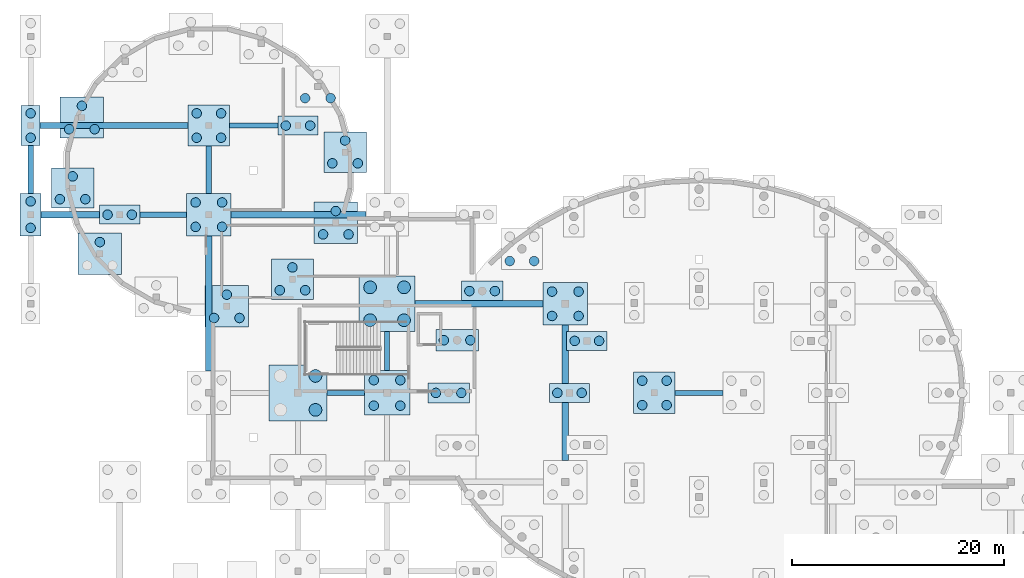
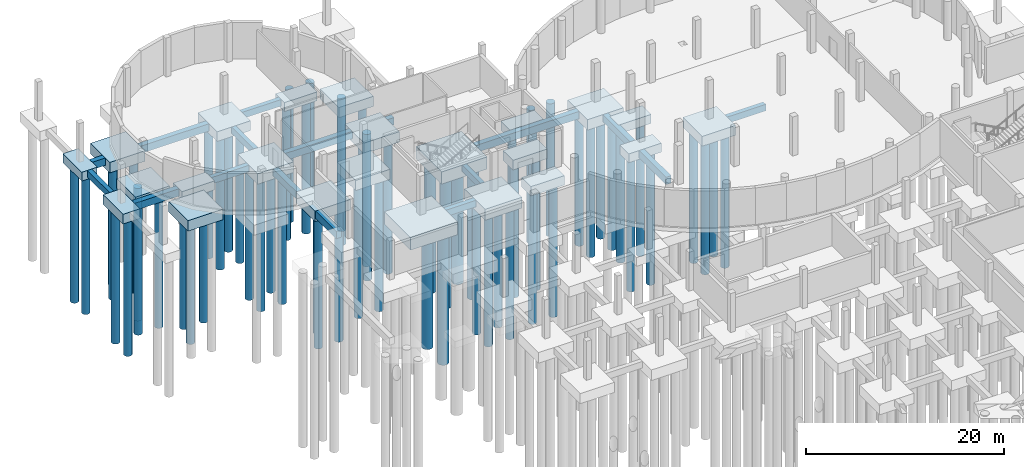
# One storey, part 7 of 24: 67 piles, 36 footings.
"""IFC4 building model written with IfcOpenShell, lengths in metres."""

from ifc_helpers import new_model, si_unit, derived_unit, direction, frame, origin, origin_2d, place, context, subcontext, project, spatial, rectangle, circle, extrude, material, layer, layer_set, material_profile, profile_set, type_object, element, save


model = new_model("IFC4")

# Units and contexts
model_context = context("Model", 3, precision=1e-05, world=origin(), true_north=direction((0.0, 1.0)))
body_context = subcontext(model_context, "Body", "Model", "MODEL_VIEW")
ifc_project = project(units=[si_unit("LENGTHUNIT", "METRE"), si_unit("AREAUNIT", "SQUARE_METRE"), si_unit("VOLUMEUNIT", "CUBIC_METRE"), si_unit("PLANEANGLEUNIT", "RADIAN"), si_unit("MASSUNIT", "GRAM", prefix="KILO"), derived_unit("THERMALTRANSMITTANCEUNIT", [(si_unit("POWERUNIT", "WATT"), 1), (si_unit("LENGTHUNIT", "METRE"), -2), (si_unit("THERMODYNAMICTEMPERATUREUNIT", "KELVIN"), -1)])], contexts=[model_context])

# Site, building, storey
site_placement = place(None, origin())
site = spatial("IfcSite", under=ifc_project, at=site_placement, CompositionType="ELEMENT")
building_placement = place(site_placement, origin())
building = spatial("IfcBuilding", under=site, at=building_placement, Name="Elbkamm Science Centre", CompositionType="ELEMENT")
storey_placement = place(building_placement, frame((0.0, 0.0, -4.800048828125)))
storey = spatial("IfcBuildingStorey", under=building, at=storey_placement, Name="B01", CompositionType="ELEMENT", Elevation=-4.800048828125)

# Footings
ifc_material = material(Name="Concrete C35/45", Category="concrete")
footing_type_1 = type_object("IfcFootingType", Name="FTG-TIE-500x800", PredefinedType="FOOTING_BEAM", material=ifc_material)
footing_1_placement = place(storey_placement, frame((29.699951171875, 67.199951171875, -1.2998046875), z_axis=(0.0, 0.0, 1.0), x_axis=(1.0, 0.0, 0.0)))
element("IfcFooting", 1, at=footing_1_placement, inside=storey, type_object=footing_type_1, Name="Substructure Ground Tie Beam X-092", PredefinedType="FOOTING_BEAM", context=body_context, shape_type="SweptSolid", body=[
    extrude(rectangle(XDim=3.5, YDim=0.5, at=origin_2d()), origin(), (0.0, 0.0, 1.0), 0.800048828125),
])
footing_2_placement = place(storey_placement, frame((63.0, 67.199951171875, -1.2998046875), z_axis=(0.0, 0.0, 1.0), x_axis=(1.0, 0.0, 0.0)))
element("IfcFooting", 2, at=footing_2_placement, inside=storey, type_object=footing_type_1, Name="Substructure Ground Tie Beam X-093", PredefinedType="FOOTING_BEAM", context=body_context, shape_type="SweptSolid", body=[
    extrude(rectangle(XDim=4.5, YDim=0.5, at=origin_2d()), origin(), (0.0, 0.0, 1.0), 0.800048828125),
])
footing_3_placement = place(storey_placement, frame((12.5, 84.0, -1.2998046875), z_axis=(0.0, 0.0, 1.0), x_axis=(1.0, 0.0, 0.0)))
element("IfcFooting", 3, at=footing_3_placement, inside=storey, type_object=footing_type_1, Name="Substructure Ground Tie Beam X-103", PredefinedType="FOOTING_BEAM", context=body_context, shape_type="SweptSolid", body=[
    extrude(rectangle(XDim=4.39990234375, YDim=0.5, at=origin_2d()), origin(), (0.0, 0.0, 1.0), 0.800048828125),
])
footing_4_placement = place(storey_placement, frame((21.02490234375, 92.39990234375, -1.2998046875), z_axis=(0.0, 0.0, 1.0), x_axis=(1.0, 0.0, 0.0)))
element("IfcFooting", 4, at=footing_4_placement, inside=storey, type_object=footing_type_1, Name="Substructure Ground Tie Beam X-111", PredefinedType="FOOTING_BEAM", context=body_context, shape_type="SweptSolid", body=[
    extrude(rectangle(XDim=4.550048828125, YDim=0.5, at=origin_2d()), origin(), (0.0, 0.0, 1.0), 0.800048828125),
])
footing_5_placement = place(storey_placement, frame((0.0, 88.25, -0.7998046875), z_axis=(0.0, 0.0, 1.0), x_axis=(1.0, 0.0, 0.0)))
element("IfcFooting", 5, at=footing_5_placement, inside=storey, type_object=footing_type_1, Name="Substructure Ground Tie Beam Y-125", PredefinedType="FOOTING_BEAM", context=body_context, shape_type="SweptSolid", body=[
    extrude(rectangle(XDim=0.5, YDim=4.5, at=origin_2d()), origin(), (0.0, 0.0, 1.0), 0.800048828125),
])
footing_6_placement = place(storey_placement, frame((16.800048828125, 88.22509765625, -1.2998046875), z_axis=(0.0, 0.0, 1.0), x_axis=(1.0, 0.0, 0.0)))
element("IfcFooting", 6, at=footing_6_placement, inside=storey, type_object=footing_type_1, Name="Substructure Ground Tie Beam Y-133", PredefinedType="FOOTING_BEAM", context=body_context, shape_type="SweptSolid", body=[
    extrude(rectangle(XDim=0.5, YDim=4.449951171875, at=origin_2d()), origin(), (0.0, 0.0, 1.0), 0.800048828125),
])
footing_7_placement = place(storey_placement, frame((33.60009765625, 71.14990234375, -1.2998046875), z_axis=(0.0, 0.0, 1.0), x_axis=(1.0, 0.0, 0.0)))
element("IfcFooting", 7, at=footing_7_placement, inside=storey, type_object=footing_type_1, Name="Substructure Ground Tie Beam Y-144", PredefinedType="FOOTING_BEAM", context=body_context, shape_type="SweptSolid", body=[
    extrude(rectangle(XDim=0.5, YDim=3.699951171875, at=origin_2d()), origin(), (0.0, 0.0, 1.0), 0.800048828125),
])
footing_type_2 = type_object("IfcFootingType", Name="FTG-TIE-600x900", PredefinedType="FOOTING_BEAM", material=ifc_material)
footing_8_placement = place(storey_placement, frame((42.27490234375, 75.60009765625, -1.39990234375), z_axis=(0.0, 0.0, 1.0), x_axis=(1.0, 0.0, 0.0)))
element("IfcFooting", 8, at=footing_8_placement, inside=storey, type_object=footing_type_2, Name="Substructure Ground Tie Beam X-097", PredefinedType="FOOTING_BEAM", context=body_context, shape_type="SweptSolid", body=[
    extrude(rectangle(XDim=12.050048828125, YDim=0.60009765625, at=origin_2d()), origin(), (0.0, 0.0, 1.0), 0.89990234375),
])
footing_9_placement = place(storey_placement, frame((3.75, 84.0, -1.39990234375), z_axis=(0.0, 0.0, 1.0), x_axis=(1.0, 0.0, 0.0)))
element("IfcFooting", 9, at=footing_9_placement, inside=storey, type_object=footing_type_2, Name="Substructure Ground Tie Beam X-102", PredefinedType="FOOTING_BEAM", context=body_context, shape_type="SweptSolid", body=[
    extrude(rectangle(XDim=5.5, YDim=0.60009765625, at=origin_2d()), origin(), (0.0, 0.0, 1.0), 0.89990234375),
])
footing_10_placement = place(storey_placement, frame((25.25, 84.0, -1.39990234375), z_axis=(0.0, 0.0, 1.0), x_axis=(1.0, 0.0, 0.0)))
element("IfcFooting", 10, at=footing_10_placement, inside=storey, type_object=footing_type_2, Name="Substructure Ground Tie Beam X-104", PredefinedType="FOOTING_BEAM", context=body_context, shape_type="SweptSolid", body=[
    extrude(rectangle(XDim=12.699951171875, YDim=0.60009765625, at=origin_2d()), origin(), (0.0, 0.0, 1.0), 0.89990234375),
])
footing_11_placement = place(storey_placement, frame((7.875, 92.39990234375, -1.39990234375), z_axis=(0.0, 0.0, 1.0), x_axis=(1.0, 0.0, 0.0)))
element("IfcFooting", 11, at=footing_11_placement, inside=storey, type_object=footing_type_2, Name="Substructure Ground Tie Beam X-110", PredefinedType="FOOTING_BEAM", context=body_context, shape_type="SweptSolid", body=[
    extrude(rectangle(XDim=13.949951171875, YDim=0.60009765625, at=origin_2d()), origin(), (0.0, 0.0, 1.0), 0.89990234375),
])
for number, where, z_axis, x_axis, name in (
    (12, (16.800048828125, 75.625, -1.39990234375), (0.0, 0.0, 1.0), (1.0, 0.0, 0.0), "Substructure Ground Tie Beam Y-132"),
    (13, (50.39990234375, 67.22509765625, -1.39990234375), (0.0, 0.0, 1.0), (1.0, 0.0, 0.0), "Substructure Ground Tie Beam Y-157"),
):
    element("IfcFooting", number, at=place(storey_placement, frame(where, z_axis=z_axis, x_axis=x_axis)), inside=storey, type_object=footing_type_2, Name=name, PredefinedType="FOOTING_BEAM", context=body_context, shape_type="SweptSolid", body=[
        extrude(rectangle(XDim=0.60009765625, YDim=12.75, at=origin_2d()), origin(), (0.0, 0.0, 1.0), 0.89990234375),
    ])
ifc_layer_1 = layer(ifc_material, 1.10009765625)
ifc_layer_set_1 = layer_set([ifc_layer_1], Name="Concrete C35/45")
footing_type_3 = type_object("IfcFootingType", Name="PC-2P-180x380x110", PredefinedType="PILE_CAP", material=ifc_layer_set_1)
footing_12_placement = place(storey_placement, frame((0.0, 92.39990234375, -1.10009765625), z_axis=(0.0, 0.0, 1.0), x_axis=(1.0, 0.0, 0.0)))
element("IfcFooting", 14, at=footing_12_placement, inside=storey, type_object=footing_type_3, Name="Pile Cap GRID-1-M", PredefinedType="PILE_CAP", context=body_context, shape_type="SweptSolid", body=[
    extrude(rectangle(XDim=1.800048828125, YDim=3.800048828125, at=origin_2d()), origin(), (0.0, 0.0, 1.0), 1.10009765625),
])
ifc_layer_2 = layer(ifc_material, 1.199951171875)
ifc_layer_set_2 = layer_set([ifc_layer_2], Name="Concrete C35/45")
footing_type_4 = type_object("IfcFootingType", Name="PC-2P-200x400x120", PredefinedType="PILE_CAP", material=ifc_layer_set_2)
footing_13_placement = place(storey_placement, frame((0.0, 84.0, -1.19970703125), z_axis=(0.0, 0.0, 1.0), x_axis=(1.0, 0.0, 0.0)))
element("IfcFooting", 15, at=footing_13_placement, inside=storey, type_object=footing_type_4, Name="Pile Cap GRID-1-L", PredefinedType="PILE_CAP", context=body_context, shape_type="SweptSolid", body=[
    extrude(rectangle(XDim=2.0, YDim=4.0, at=origin_2d()), origin(), (0.0, 0.0, 1.0), 1.199951171875),
])
ifc_layer_3 = layer(ifc_material, 1.10009765625)
ifc_layer_set_3 = layer_set([ifc_layer_3], Name="Concrete C35/45")
footing_type_5 = type_object("IfcFootingType", Name="PC-2P-380x180x110", PredefinedType="PILE_CAP", material=ifc_layer_set_3)
for number, where, z_axis, x_axis, name in (
    (16, (52.43408203125, 72.10009765625, -1.60009765625), (0.0, 0.0, 1.0), (1.0, 0.0, 0.0), "Pile Cap SH-IN-06"),
    (17, (50.800048828125, 67.199951171875, -1.60009765625), (0.0, 0.0, 1.0), (1.0, 0.0, 0.0), "Pile Cap SH-IN-07"),
    (18, (8.39990234375, 84.0, -1.60009765625), (0.0, 0.0, 1.0), (1.0, 0.0, 0.0), "Pile Cap GRID-2-L"),
    (19, (25.199951171875, 92.39990234375, -1.60009765625), (0.0, 0.0, 1.0), (1.0, 0.0, 0.0), "Pile Cap GRID-4-M"),
):
    element("IfcFooting", number, at=place(storey_placement, frame(where, z_axis=z_axis, x_axis=x_axis)), inside=storey, type_object=footing_type_5, Name=name, PredefinedType="PILE_CAP", context=body_context, shape_type="SweptSolid", body=[
        extrude(rectangle(XDim=3.800048828125, YDim=1.800048828125, at=origin_2d()), origin(), (0.0, 0.0, 1.0), 1.10009765625),
    ])
ifc_layer_4 = layer(ifc_material, 1.14990234375)
ifc_layer_set_4 = layer_set([ifc_layer_4], Name="Concrete C35/45")
footing_type_6 = type_object("IfcFootingType", Name="PC-2P-390x190x115", PredefinedType="PILE_CAP", material=ifc_layer_set_4)
for number, where, z_axis, x_axis, name in (
    (20, (42.56201171875, 76.800048828125, -1.64990234375), (0.0, 0.0, 1.0), (1.0, 0.0, 0.0), "Pile Cap SH-OUT-11"),
    (21, (39.39990234375, 67.199951171875, -1.64990234375), (0.0, 0.0, 1.0), (1.0, 0.0, 0.0), "Pile Cap SH-OUT-13"),
):
    element("IfcFooting", number, at=place(storey_placement, frame(where, z_axis=z_axis, x_axis=x_axis)), inside=storey, type_object=footing_type_6, Name=name, PredefinedType="PILE_CAP", context=body_context, shape_type="SweptSolid", body=[
        extrude(rectangle(XDim=3.89990234375, YDim=1.89990234375, at=origin_2d()), origin(), (0.0, 0.0, 1.0), 1.14990234375),
    ])
ifc_layer_5 = layer(ifc_material, 1.199951171875)
ifc_layer_set_5 = layer_set([ifc_layer_5], Name="Concrete C35/45")
footing_type_7 = type_object("IfcFootingType", Name="PC-2P-400x200x120", PredefinedType="PILE_CAP", material=ifc_layer_set_5)
footing_14_placement = place(storey_placement, frame((40.2041015625, 72.1689453125, -1.69970703125), z_axis=(0.0, 0.0, 1.0), x_axis=(1.0, 0.0, 0.0)))
element("IfcFooting", 22, at=footing_14_placement, inside=storey, type_object=footing_type_7, Name="Pile Cap SH-OUT-12", PredefinedType="PILE_CAP", context=body_context, shape_type="SweptSolid", body=[
    extrude(rectangle(XDim=4.0, YDim=2.0, at=origin_2d()), origin(), (0.0, 0.0, 1.0), 1.199951171875),
])
ifc_layer_6 = layer(ifc_material, 1.25)
ifc_layer_set_6 = layer_set([ifc_layer_6], Name="Concrete C35/45")
footing_type_8 = type_object("IfcFootingType", Name="PC-3P-400x380x125", PredefinedType="PILE_CAP", material=ifc_layer_set_6)
for number, where, z_axis, x_axis, name in (
    (23, (29.638916015625, 89.889892578125, -1.75), (0.0, 0.0, 1.0), (1.0, 0.0, 0.0), "Pile Cap DRUM-01"),
    (24, (3.9609375, 86.510009765625, -1.75), (0.0, 0.0, 1.0), (1.0, 0.0, 0.0), "Pile Cap DRUM-07"),
    (25, (24.68310546875, 77.926025390625, -1.75), (0.0, 0.0, 1.0), (1.0, 0.0, 0.0), "Pile Cap DRUM-11"),
):
    element("IfcFooting", number, at=place(storey_placement, frame(where, z_axis=z_axis, x_axis=x_axis)), inside=storey, type_object=footing_type_8, Name=name, PredefinedType="PILE_CAP", context=body_context, shape_type="SweptSolid", body=[
        extrude(rectangle(XDim=4.0, YDim=3.800048828125, at=origin_2d()), origin(), (0.0, 0.0, 1.0), 1.25),
    ])
ifc_layer_7 = layer(ifc_material, 1.300048828125)
ifc_layer_set_7 = layer_set([ifc_layer_7], Name="Concrete C35/45")
footing_type_9 = type_object("IfcFootingType", Name="PC-3P-410x390x130", PredefinedType="PILE_CAP", material=ifc_layer_set_7)
for number, where, z_axis, x_axis, name in (
    (26, (4.8359375, 93.156005859375, -1.7998046875), (0.0, 0.0, 1.0), (1.0, 0.0, 0.0), "Pile Cap DRUM-06"),
    (27, (6.52587890625, 80.31689453125, -1.7998046875), (0.0, 0.0, 1.0), (1.0, 0.0, 0.0), "Pile Cap DRUM-08"),
    (28, (18.489990234375, 75.361083984375, -1.7998046875), (0.0, 0.0, 1.0), (1.0, 0.0, 0.0), "Pile Cap DRUM-10"),
    (29, (28.763916015625, 83.243896484375, -1.7998046875), (0.0, 0.0, 1.0), (1.0, 0.0, 0.0), "Pile Cap DRUM-12"),
):
    element("IfcFooting", number, at=place(storey_placement, frame(where, z_axis=z_axis, x_axis=x_axis)), inside=storey, type_object=footing_type_9, Name=name, PredefinedType="PILE_CAP", context=body_context, shape_type="SweptSolid", body=[
        extrude(rectangle(XDim=4.10009765625, YDim=3.89990234375, at=origin_2d()), origin(), (0.0, 0.0, 1.0), 1.300048828125),
    ])
ifc_layer_8 = layer(ifc_material, 1.199951171875)
ifc_layer_set_8 = layer_set([ifc_layer_8], Name="Concrete C35/45")
footing_type_10 = type_object("IfcFootingType", Name="PC-4P-390x390x120", PredefinedType="PILE_CAP", material=ifc_layer_set_8)
for number, where, z_axis, x_axis, name in (
    (30, (16.800048828125, 92.39990234375, -1.69970703125), (0.0, 0.0, 1.0), (1.0, 0.0, 0.0), "Pile Cap GRID-3-M"),
    (31, (58.800048828125, 67.199951171875, -1.69970703125), (0.0, 0.0, 1.0), (1.0, 0.0, 0.0), "Pile Cap GRID-8-J"),
):
    element("IfcFooting", number, at=place(storey_placement, frame(where, z_axis=z_axis, x_axis=x_axis)), inside=storey, type_object=footing_type_10, Name=name, PredefinedType="PILE_CAP", context=body_context, shape_type="SweptSolid", body=[
        extrude(rectangle(XDim=3.89990234375, YDim=3.89990234375, at=origin_2d()), origin(), (0.0, 0.0, 1.0), 1.199951171875),
    ])
ifc_layer_9 = layer(ifc_material, 1.300048828125)
ifc_layer_set_9 = layer_set([ifc_layer_9], Name="Concrete C35/45")
footing_type_11 = type_object("IfcFootingType", Name="PC-4P-420x400x130", PredefinedType="PILE_CAP", material=ifc_layer_set_9)
for number, where, z_axis, x_axis, name in (
    (32, (16.800048828125, 84.0, -1.7998046875), (0.0, 0.0, 1.0), (1.0, 0.0, 0.0), "Pile Cap GRID-3-L"),
    (33, (50.39990234375, 75.60009765625, -1.7998046875), (0.0, 0.0, 1.0), (1.0, 0.0, 0.0), "Pile Cap GRID-7-K"),
):
    element("IfcFooting", number, at=place(storey_placement, frame(where, z_axis=z_axis, x_axis=x_axis)), inside=storey, type_object=footing_type_11, Name=name, PredefinedType="PILE_CAP", context=body_context, shape_type="SweptSolid", body=[
        extrude(rectangle(XDim=4.199951171875, YDim=4.0, at=origin_2d()), origin(), (0.0, 0.0, 1.0), 1.300048828125),
    ])
ifc_layer_10 = layer(ifc_material, 1.35009765625)
ifc_layer_set_10 = layer_set([ifc_layer_10], Name="Concrete C35/45")
footing_type_12 = type_object("IfcFootingType", Name="PC-4P-430x420x135", PredefinedType="PILE_CAP", material=ifc_layer_set_10)
footing_15_placement = place(storey_placement, frame((33.60009765625, 67.199951171875, -1.85009765625), z_axis=(0.0, 0.0, 1.0), x_axis=(1.0, 0.0, 0.0)))
element("IfcFooting", 34, at=footing_15_placement, inside=storey, type_object=footing_type_12, Name="Pile Cap GRID-5-J", PredefinedType="PILE_CAP", context=body_context, shape_type="SweptSolid", body=[
    extrude(rectangle(XDim=4.300048828125, YDim=4.199951171875, at=origin_2d()), origin(), (0.0, 0.0, 1.0), 1.35009765625),
])
ifc_layer_11 = layer(ifc_material, 1.5)
ifc_layer_set_11 = layer_set([ifc_layer_11], Name="Concrete C35/45")
footing_type_13 = type_object("IfcFootingType", Name="PC-4P-530x520x150", PredefinedType="PILE_CAP", material=ifc_layer_set_11)
footing_16_placement = place(storey_placement, frame((33.60009765625, 75.60009765625, -2.0), z_axis=(0.0, 0.0, 1.0), x_axis=(1.0, 0.0, 0.0)))
element("IfcFooting", 35, at=footing_16_placement, inside=storey, type_object=footing_type_13, Name="Pile Cap GRID-5-K", PredefinedType="PILE_CAP", context=body_context, shape_type="SweptSolid", body=[
    extrude(rectangle(XDim=5.300048828125, YDim=5.199951171875, at=origin_2d()), origin(), (0.0, 0.0, 1.0), 1.5),
])
ifc_layer_12 = layer(ifc_material, 1.550048828125)
ifc_layer_set_12 = layer_set([ifc_layer_12], Name="Concrete C35/45")
footing_type_14 = type_object("IfcFootingType", Name="PC-4P-550x530x155", PredefinedType="PILE_CAP", material=ifc_layer_set_12)
footing_17_placement = place(storey_placement, frame((25.199951171875, 67.199951171875, -2.0498046875), z_axis=(0.0, 0.0, 1.0), x_axis=(1.0, 0.0, 0.0)))
element("IfcFooting", 36, at=footing_17_placement, inside=storey, type_object=footing_type_14, Name="Pile Cap GRID-4-J", PredefinedType="PILE_CAP", context=body_context, shape_type="SweptSolid", body=[
    extrude(rectangle(XDim=5.5, YDim=5.300048828125, at=origin_2d()), origin(), (0.0, 0.0, 1.0), 1.550048828125),
])

# Piles
ifc_material_profile_1 = material_profile(ifc_material, circle(Radius=0.60009765625, at=origin_2d()), Name="PILE D1200")
ifc_profile_set_1 = profile_set([ifc_material_profile_1], Name="Concrete C35/45")
pile_type_1 = type_object("IfcPileType", Name="PILE-BORED-1200", PredefinedType="BORED", material=ifc_profile_set_1)
for number, where, z_axis, x_axis, name in (
    (37, (26.85009765625, 65.60009765625, -1.949951171875), (0.0, 0.0, -1.0), (1.0, 0.0, 0.0), "Bored Pile GRID-4-J-2"),
    (38, (26.85009765625, 68.800048828125, -1.949951171875), (0.0, 0.0, -1.0), (1.0, 0.0, 0.0), "Bored Pile GRID-4-J-4"),
):
    element("IfcPile", number, at=place(storey_placement, frame(where, z_axis=z_axis, x_axis=x_axis)), inside=storey, type_object=pile_type_1, Name=name, PredefinedType="BORED", context=body_context, shape_type="SweptSolid", body=[
        extrude(circle(Radius=0.60009765625, at=origin_2d()), origin(), (0.0, 0.0, 1.0), 16.050048828125),
    ])
for number, where, z_axis, x_axis, name in (
    (39, (32.0, 74.050048828125, -1.89990234375), (0.0, 0.0, -1.0), (1.0, 0.0, 0.0), "Bored Pile GRID-5-K-1"),
    (40, (35.199951171875, 74.050048828125, -1.89990234375), (0.0, 0.0, -1.0), (1.0, 0.0, 0.0), "Bored Pile GRID-5-K-2"),
    (41, (32.0, 77.14990234375, -1.89990234375), (0.0, 0.0, -1.0), (1.0, 0.0, 0.0), "Bored Pile GRID-5-K-3"),
    (42, (35.199951171875, 77.14990234375, -1.89990234375), (0.0, 0.0, -1.0), (1.0, 0.0, 0.0), "Bored Pile GRID-5-K-4"),
):
    element("IfcPile", number, at=place(storey_placement, frame(where, z_axis=z_axis, x_axis=x_axis)), inside=storey, type_object=pile_type_1, Name=name, PredefinedType="BORED", context=body_context, shape_type="SweptSolid", body=[
        extrude(circle(Radius=0.60009765625, at=origin_2d()), origin(), (0.0, 0.0, 1.0), 16.10009765625),
    ])
ifc_material_profile_2 = material_profile(ifc_material, circle(Radius=0.449951171875, at=origin_2d()), Name="PILE D900")
ifc_profile_set_2 = profile_set([ifc_material_profile_2], Name="Concrete C35/45")
pile_type_2 = type_object("IfcPileType", Name="PILE-BORED-900", PredefinedType="BORED", material=ifc_profile_set_2)
for number, where, z_axis, x_axis, name in (
    (43, (45.162109375, 79.6259765625, -1.599853515625), (0.0, 0.0, -1.0), (1.0, 0.0, 0.0), "Bored Pile SH-OUT-10-1"),
    (44, (47.4619140625, 79.6259765625, -1.599853515625), (0.0, 0.0, -1.0), (1.0, 0.0, 0.0), "Bored Pile SH-OUT-10-2"),
):
    element("IfcPile", number, at=place(storey_placement, frame(where, z_axis=z_axis, x_axis=x_axis)), inside=storey, type_object=pile_type_2, Name=name, PredefinedType="BORED", context=body_context, shape_type="SweptSolid", body=[
        extrude(circle(Radius=0.449951171875, at=origin_2d()), origin(), (0.0, 0.0, 1.0), 16.39990234375),
    ])
for number, where, z_axis, x_axis, name in (
    (45, (41.362060546875, 76.800048828125, -1.550048828125), (0.0, 0.0, -1.0), (1.0, 0.0, 0.0), "Bored Pile SH-OUT-11-1"),
    (46, (43.761962890625, 76.800048828125, -1.550048828125), (0.0, 0.0, -1.0), (1.0, 0.0, 0.0), "Bored Pile SH-OUT-11-2"),
):
    element("IfcPile", number, at=place(storey_placement, frame(where, z_axis=z_axis, x_axis=x_axis)), inside=storey, type_object=pile_type_2, Name=name, PredefinedType="BORED", context=body_context, shape_type="SweptSolid", body=[
        extrude(circle(Radius=0.449951171875, at=origin_2d()), origin(), (0.0, 0.0, 1.0), 16.449951171875),
    ])
for number, where, z_axis, x_axis, name in (
    (47, (38.9541015625, 72.1689453125, -1.599853515625), (0.0, 0.0, -1.0), (1.0, 0.0, 0.0), "Bored Pile SH-OUT-12-1"),
    (48, (41.4541015625, 72.1689453125, -1.599853515625), (0.0, 0.0, -1.0), (1.0, 0.0, 0.0), "Bored Pile SH-OUT-12-2"),
):
    element("IfcPile", number, at=place(storey_placement, frame(where, z_axis=z_axis, x_axis=x_axis)), inside=storey, type_object=pile_type_2, Name=name, PredefinedType="BORED", context=body_context, shape_type="SweptSolid", body=[
        extrude(circle(Radius=0.449951171875, at=origin_2d()), origin(), (0.0, 0.0, 1.0), 16.39990234375),
    ])
for number, where, z_axis, x_axis, name in (
    (49, (38.199951171875, 67.199951171875, -1.550048828125), (0.0, 0.0, -1.0), (1.0, 0.0, 0.0), "Bored Pile SH-OUT-13-1"),
    (50, (40.60009765625, 67.199951171875, -1.550048828125), (0.0, 0.0, -1.0), (1.0, 0.0, 0.0), "Bored Pile SH-OUT-13-2"),
):
    element("IfcPile", number, at=place(storey_placement, frame(where, z_axis=z_axis, x_axis=x_axis)), inside=storey, type_object=pile_type_2, Name=name, PredefinedType="BORED", context=body_context, shape_type="SweptSolid", body=[
        extrude(circle(Radius=0.449951171875, at=origin_2d()), origin(), (0.0, 0.0, 1.0), 16.449951171875),
    ])
for number, where, z_axis, x_axis, name in (
    (51, (51.283935546875, 72.10009765625, -1.5), (0.0, 0.0, -1.0), (1.0, 0.0, 0.0), "Bored Pile SH-IN-06-1"),
    (52, (53.583984375, 72.10009765625, -1.5), (0.0, 0.0, -1.0), (1.0, 0.0, 0.0), "Bored Pile SH-IN-06-2"),
    (53, (49.64990234375, 67.199951171875, -1.5), (0.0, 0.0, -1.0), (1.0, 0.0, 0.0), "Bored Pile SH-IN-07-1"),
    (54, (51.949951171875, 67.199951171875, -1.5), (0.0, 0.0, -1.0), (1.0, 0.0, 0.0), "Bored Pile SH-IN-07-2"),
):
    element("IfcPile", number, at=place(storey_placement, frame(where, z_axis=z_axis, x_axis=x_axis)), inside=storey, type_object=pile_type_2, Name=name, PredefinedType="BORED", context=body_context, shape_type="SweptSolid", body=[
        extrude(circle(Radius=0.449951171875, at=origin_2d()), origin(), (0.0, 0.0, 1.0), 16.5),
    ])
for number, where, z_axis, x_axis, name in (
    (55, (28.43896484375, 88.840087890625, -1.64990234375), (0.0, 0.0, -1.0), (1.0, 0.0, 0.0), "Bored Pile DRUM-01-1"),
    (56, (30.839111328125, 88.840087890625, -1.64990234375), (0.0, 0.0, -1.0), (1.0, 0.0, 0.0), "Bored Pile DRUM-01-2"),
    (57, (29.638916015625, 90.989990234375, -1.64990234375), (0.0, 0.0, -1.0), (1.0, 0.0, 0.0), "Bored Pile DRUM-01-3"),
):
    element("IfcPile", number, at=place(storey_placement, frame(where, z_axis=z_axis, x_axis=x_axis)), inside=storey, type_object=pile_type_2, Name=name, PredefinedType="BORED", context=body_context, shape_type="SweptSolid", body=[
        extrude(circle(Radius=0.449951171875, at=origin_2d()), origin(), (0.0, 0.0, 1.0), 16.35009765625),
    ])
for number, where, z_axis, x_axis, name in (
    (58, (25.8740234375, 94.98291015625, -1.699951171875), (0.0, 0.0, -1.0), (1.0, 0.0, 0.0), "Bored Pile DRUM-02-1"),
    (59, (28.27392578125, 94.98291015625, -1.699951171875), (0.0, 0.0, -1.0), (1.0, 0.0, 0.0), "Bored Pile DRUM-02-2"),
    (60, (3.635986328125, 92.055908203125, -1.699951171875), (0.0, 0.0, -1.0), (1.0, 0.0, 0.0), "Bored Pile DRUM-06-1"),
    (61, (6.035888671875, 92.055908203125, -1.699951171875), (0.0, 0.0, -1.0), (1.0, 0.0, 0.0), "Bored Pile DRUM-06-2"),
    (62, (4.8359375, 94.256103515625, -1.699951171875), (0.0, 0.0, -1.0), (1.0, 0.0, 0.0), "Bored Pile DRUM-06-3"),
):
    element("IfcPile", number, at=place(storey_placement, frame(where, z_axis=z_axis, x_axis=x_axis)), inside=storey, type_object=pile_type_2, Name=name, PredefinedType="BORED", context=body_context, shape_type="SweptSolid", body=[
        extrude(circle(Radius=0.449951171875, at=origin_2d()), origin(), (0.0, 0.0, 1.0), 16.300048828125),
    ])
for number, where, z_axis, x_axis, name in (
    (63, (2.760986328125, 85.4599609375, -1.64990234375), (0.0, 0.0, -1.0), (1.0, 0.0, 0.0), "Bored Pile DRUM-07-1"),
    (64, (5.160888671875, 85.4599609375, -1.64990234375), (0.0, 0.0, -1.0), (1.0, 0.0, 0.0), "Bored Pile DRUM-07-2"),
    (65, (3.9609375, 87.610107421875, -1.64990234375), (0.0, 0.0, -1.0), (1.0, 0.0, 0.0), "Bored Pile DRUM-07-3"),
):
    element("IfcPile", number, at=place(storey_placement, frame(where, z_axis=z_axis, x_axis=x_axis)), inside=storey, type_object=pile_type_2, Name=name, PredefinedType="BORED", context=body_context, shape_type="SweptSolid", body=[
        extrude(circle(Radius=0.449951171875, at=origin_2d()), origin(), (0.0, 0.0, 1.0), 16.35009765625),
    ])
for number, where, z_axis, x_axis, name in (
    (66, (6.52587890625, 81.4169921875, -1.699951171875), (0.0, 0.0, -1.0), (1.0, 0.0, 0.0), "Bored Pile DRUM-08-3"),
    (67, (17.2900390625, 74.260986328125, -1.699951171875), (0.0, 0.0, -1.0), (1.0, 0.0, 0.0), "Bored Pile DRUM-10-1"),
    (68, (19.68994140625, 74.260986328125, -1.699951171875), (0.0, 0.0, -1.0), (1.0, 0.0, 0.0), "Bored Pile DRUM-10-2"),
    (69, (18.489990234375, 76.4609375, -1.699951171875), (0.0, 0.0, -1.0), (1.0, 0.0, 0.0), "Bored Pile DRUM-10-3"),
):
    element("IfcPile", number, at=place(storey_placement, frame(where, z_axis=z_axis, x_axis=x_axis)), inside=storey, type_object=pile_type_2, Name=name, PredefinedType="BORED", context=body_context, shape_type="SweptSolid", body=[
        extrude(circle(Radius=0.449951171875, at=origin_2d()), origin(), (0.0, 0.0, 1.0), 16.300048828125),
    ])
for number, where, z_axis, x_axis, name in (
    (70, (23.48291015625, 76.8759765625, -1.64990234375), (0.0, 0.0, -1.0), (1.0, 0.0, 0.0), "Bored Pile DRUM-11-1"),
    (71, (25.883056640625, 76.8759765625, -1.64990234375), (0.0, 0.0, -1.0), (1.0, 0.0, 0.0), "Bored Pile DRUM-11-2"),
    (72, (24.68310546875, 79.02587890625, -1.64990234375), (0.0, 0.0, -1.0), (1.0, 0.0, 0.0), "Bored Pile DRUM-11-3"),
):
    element("IfcPile", number, at=place(storey_placement, frame(where, z_axis=z_axis, x_axis=x_axis)), inside=storey, type_object=pile_type_2, Name=name, PredefinedType="BORED", context=body_context, shape_type="SweptSolid", body=[
        extrude(circle(Radius=0.449951171875, at=origin_2d()), origin(), (0.0, 0.0, 1.0), 16.35009765625),
    ])
for number, where, z_axis, x_axis, name in (
    (73, (27.56396484375, 82.14404296875, -1.699951171875), (0.0, 0.0, -1.0), (1.0, 0.0, 0.0), "Bored Pile DRUM-12-1"),
    (74, (29.964111328125, 82.14404296875, -1.699951171875), (0.0, 0.0, -1.0), (1.0, 0.0, 0.0), "Bored Pile DRUM-12-2"),
    (75, (28.763916015625, 84.343994140625, -1.699951171875), (0.0, 0.0, -1.0), (1.0, 0.0, 0.0), "Bored Pile DRUM-12-3"),
):
    element("IfcPile", number, at=place(storey_placement, frame(where, z_axis=z_axis, x_axis=x_axis)), inside=storey, type_object=pile_type_2, Name=name, PredefinedType="BORED", context=body_context, shape_type="SweptSolid", body=[
        extrude(circle(Radius=0.449951171875, at=origin_2d()), origin(), (0.0, 0.0, 1.0), 16.300048828125),
    ])
for number, where, z_axis, x_axis, name in (
    (76, (0.0, 82.75, -1.099853515625), (0.0, 0.0, -1.0), (1.0, 0.0, 0.0), "Bored Pile GRID-1-L-1"),
    (77, (0.0, 85.25, -1.099853515625), (0.0, 0.0, -1.0), (1.0, 0.0, 0.0), "Bored Pile GRID-1-L-2"),
):
    element("IfcPile", number, at=place(storey_placement, frame(where, z_axis=z_axis, x_axis=x_axis)), inside=storey, type_object=pile_type_2, Name=name, PredefinedType="BORED", context=body_context, shape_type="SweptSolid", body=[
        extrude(circle(Radius=0.449951171875, at=origin_2d()), origin(), (0.0, 0.0, 1.0), 16.89990234375),
    ])
for number, where, z_axis, x_axis, name in (
    (78, (0.0, 91.25, -1.0), (0.0, 0.0, -1.0), (1.0, 0.0, 0.0), "Bored Pile GRID-1-M-1"),
    (79, (0.0, 93.550048828125, -1.0), (0.0, 0.0, -1.0), (1.0, 0.0, 0.0), "Bored Pile GRID-1-M-2"),
):
    element("IfcPile", number, at=place(storey_placement, frame(where, z_axis=z_axis, x_axis=x_axis)), inside=storey, type_object=pile_type_2, Name=name, PredefinedType="BORED", context=body_context, shape_type="SweptSolid", body=[
        extrude(circle(Radius=0.449951171875, at=origin_2d()), origin(), (0.0, 0.0, 1.0), 17.0),
    ])
for number, where, z_axis, x_axis, name in (
    (80, (7.25, 84.0, -1.5), (0.0, 0.0, -1.0), (1.0, 0.0, 0.0), "Bored Pile GRID-2-L-1"),
    (81, (9.550048828125, 84.0, -1.5), (0.0, 0.0, -1.0), (1.0, 0.0, 0.0), "Bored Pile GRID-2-L-2"),
):
    element("IfcPile", number, at=place(storey_placement, frame(where, z_axis=z_axis, x_axis=x_axis)), inside=storey, type_object=pile_type_2, Name=name, PredefinedType="BORED", context=body_context, shape_type="SweptSolid", body=[
        extrude(circle(Radius=0.449951171875, at=origin_2d()), origin(), (0.0, 0.0, 1.0), 16.5),
    ])
for number, where, z_axis, x_axis, name in (
    (82, (15.550048828125, 82.85009765625, -1.699951171875), (0.0, 0.0, -1.0), (1.0, 0.0, 0.0), "Bored Pile GRID-3-L-1"),
    (83, (18.050048828125, 82.85009765625, -1.699951171875), (0.0, 0.0, -1.0), (1.0, 0.0, 0.0), "Bored Pile GRID-3-L-2"),
    (84, (15.550048828125, 85.14990234375, -1.699951171875), (0.0, 0.0, -1.0), (1.0, 0.0, 0.0), "Bored Pile GRID-3-L-3"),
    (85, (18.050048828125, 85.14990234375, -1.699951171875), (0.0, 0.0, -1.0), (1.0, 0.0, 0.0), "Bored Pile GRID-3-L-4"),
):
    element("IfcPile", number, at=place(storey_placement, frame(where, z_axis=z_axis, x_axis=x_axis)), inside=storey, type_object=pile_type_2, Name=name, PredefinedType="BORED", context=body_context, shape_type="SweptSolid", body=[
        extrude(circle(Radius=0.449951171875, at=origin_2d()), origin(), (0.0, 0.0, 1.0), 16.300048828125),
    ])
for number, where, z_axis, x_axis, name in (
    (86, (15.64990234375, 91.25, -1.599853515625), (0.0, 0.0, -1.0), (1.0, 0.0, 0.0), "Bored Pile GRID-3-M-1"),
    (87, (17.949951171875, 91.25, -1.599853515625), (0.0, 0.0, -1.0), (1.0, 0.0, 0.0), "Bored Pile GRID-3-M-2"),
    (88, (15.64990234375, 93.550048828125, -1.599853515625), (0.0, 0.0, -1.0), (1.0, 0.0, 0.0), "Bored Pile GRID-3-M-3"),
    (89, (17.949951171875, 93.550048828125, -1.599853515625), (0.0, 0.0, -1.0), (1.0, 0.0, 0.0), "Bored Pile GRID-3-M-4"),
):
    element("IfcPile", number, at=place(storey_placement, frame(where, z_axis=z_axis, x_axis=x_axis)), inside=storey, type_object=pile_type_2, Name=name, PredefinedType="BORED", context=body_context, shape_type="SweptSolid", body=[
        extrude(circle(Radius=0.449951171875, at=origin_2d()), origin(), (0.0, 0.0, 1.0), 16.39990234375),
    ])
for number, where, z_axis, x_axis, name in (
    (90, (24.050048828125, 92.39990234375, -1.5), (0.0, 0.0, -1.0), (1.0, 0.0, 0.0), "Bored Pile GRID-4-M-1"),
    (91, (26.35009765625, 92.39990234375, -1.5), (0.0, 0.0, -1.0), (1.0, 0.0, 0.0), "Bored Pile GRID-4-M-2"),
):
    element("IfcPile", number, at=place(storey_placement, frame(where, z_axis=z_axis, x_axis=x_axis)), inside=storey, type_object=pile_type_2, Name=name, PredefinedType="BORED", context=body_context, shape_type="SweptSolid", body=[
        extrude(circle(Radius=0.449951171875, at=origin_2d()), origin(), (0.0, 0.0, 1.0), 16.5),
    ])
for number, where, z_axis, x_axis, name in (
    (92, (32.35009765625, 66.0, -1.75), (0.0, 0.0, -1.0), (1.0, 0.0, 0.0), "Bored Pile GRID-5-J-1"),
    (93, (34.85009765625, 66.0, -1.75), (0.0, 0.0, -1.0), (1.0, 0.0, 0.0), "Bored Pile GRID-5-J-2"),
    (94, (32.35009765625, 68.39990234375, -1.75), (0.0, 0.0, -1.0), (1.0, 0.0, 0.0), "Bored Pile GRID-5-J-3"),
    (95, (34.85009765625, 68.39990234375, -1.75), (0.0, 0.0, -1.0), (1.0, 0.0, 0.0), "Bored Pile GRID-5-J-4"),
):
    element("IfcPile", number, at=place(storey_placement, frame(where, z_axis=z_axis, x_axis=x_axis)), inside=storey, type_object=pile_type_2, Name=name, PredefinedType="BORED", context=body_context, shape_type="SweptSolid", body=[
        extrude(circle(Radius=0.449951171875, at=origin_2d()), origin(), (0.0, 0.0, 1.0), 16.25),
    ])
for number, where, z_axis, x_axis, name in (
    (96, (49.14990234375, 74.449951171875, -1.699951171875), (0.0, 0.0, -1.0), (1.0, 0.0, 0.0), "Bored Pile GRID-7-K-1"),
    (97, (51.64990234375, 74.449951171875, -1.699951171875), (0.0, 0.0, -1.0), (1.0, 0.0, 0.0), "Bored Pile GRID-7-K-2"),
    (98, (49.14990234375, 76.75, -1.699951171875), (0.0, 0.0, -1.0), (1.0, 0.0, 0.0), "Bored Pile GRID-7-K-3"),
    (99, (51.64990234375, 76.75, -1.699951171875), (0.0, 0.0, -1.0), (1.0, 0.0, 0.0), "Bored Pile GRID-7-K-4"),
):
    element("IfcPile", number, at=place(storey_placement, frame(where, z_axis=z_axis, x_axis=x_axis)), inside=storey, type_object=pile_type_2, Name=name, PredefinedType="BORED", context=body_context, shape_type="SweptSolid", body=[
        extrude(circle(Radius=0.449951171875, at=origin_2d()), origin(), (0.0, 0.0, 1.0), 16.300048828125),
    ])
for number, where, z_axis, x_axis, name in (
    (100, (57.64990234375, 66.050048828125, -1.599853515625), (0.0, 0.0, -1.0), (1.0, 0.0, 0.0), "Bored Pile GRID-8-J-1"),
    (101, (59.949951171875, 66.050048828125, -1.599853515625), (0.0, 0.0, -1.0), (1.0, 0.0, 0.0), "Bored Pile GRID-8-J-2"),
    (102, (57.64990234375, 68.35009765625, -1.599853515625), (0.0, 0.0, -1.0), (1.0, 0.0, 0.0), "Bored Pile GRID-8-J-3"),
    (103, (59.949951171875, 68.35009765625, -1.599853515625), (0.0, 0.0, -1.0), (1.0, 0.0, 0.0), "Bored Pile GRID-8-J-4"),
):
    element("IfcPile", number, at=place(storey_placement, frame(where, z_axis=z_axis, x_axis=x_axis)), inside=storey, type_object=pile_type_2, Name=name, PredefinedType="BORED", context=body_context, shape_type="SweptSolid", body=[
        extrude(circle(Radius=0.449951171875, at=origin_2d()), origin(), (0.0, 0.0, 1.0), 16.39990234375),
    ])

save(model, "model.ifc")
